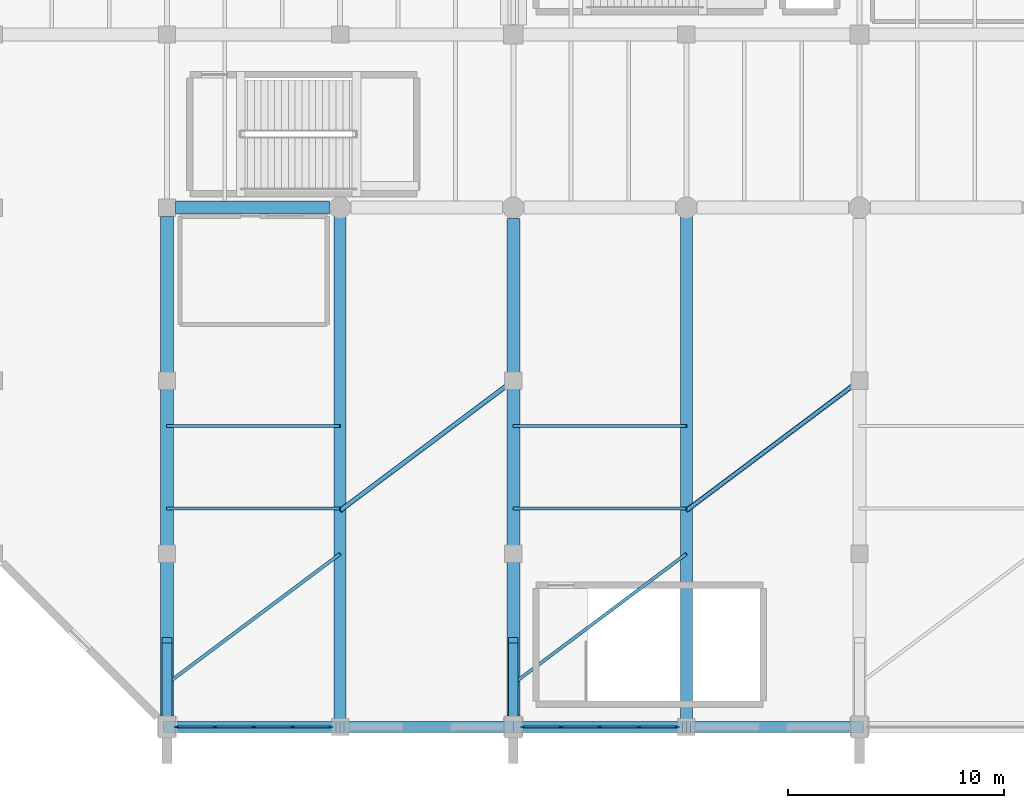
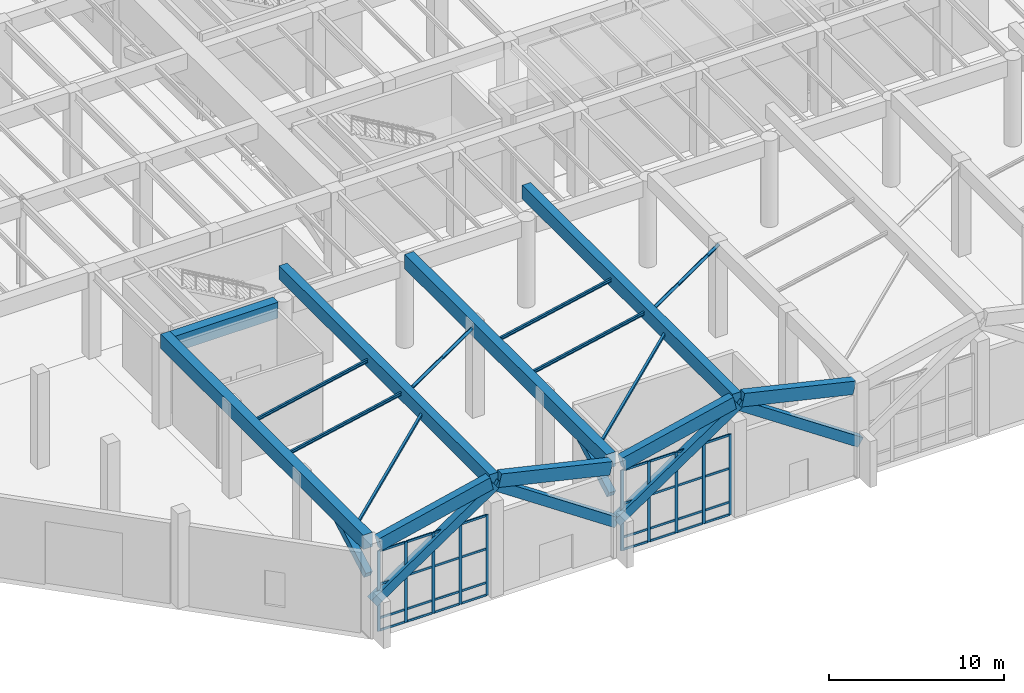
# One storey, part 6 of 51: 56 members, 9 beams, 2 elements without a shape of their own.
"""IFC4 building model written with IfcOpenShell, lengths in metres."""

from ifc_helpers import new_model, si_unit, direction, frame, origin, origin_2d, place, context, subcontext, project, spatial, rectangle, hollow_rectangle, hollow_circle, i_section, extrude, material, layer, layer_set, material_profile, profile_set, type_object, element, aggregate, save


model = new_model("IFC4")

# Units and contexts
model_context = context("Model", 3, precision=1e-05, world=origin(), true_north=direction((0.0, 1.0)))
body_context = subcontext(model_context, "Body", "Model", "MODEL_VIEW")
ifc_project = project(units=[si_unit("LENGTHUNIT", "METRE"), si_unit("AREAUNIT", "SQUARE_METRE"), si_unit("VOLUMEUNIT", "CUBIC_METRE"), si_unit("PLANEANGLEUNIT", "RADIAN"), si_unit("MASSUNIT", "GRAM", prefix="KILO")], contexts=[model_context])

# Site, building, storey
site_placement = place(None, origin())
site = spatial("IfcSite", under=ifc_project, at=site_placement, CompositionType="ELEMENT")
building_placement = place(site_placement, origin())
building = spatial("IfcBuilding", under=site, at=building_placement, Name="Varnela Railside Interchange", CompositionType="ELEMENT")
storey_placement = place(building_placement, origin())
storey = spatial("IfcBuildingStorey", under=building, at=storey_placement, Name="L00", CompositionType="ELEMENT", Elevation=0.0)

# Beams
ifc_material_1 = material(Name="Concrete C40", Category="concrete")
ifc_material_profile_1 = material_profile(ifc_material_1, rectangle(XDim=0.5, YDim=0.89990234375, at=origin_2d()), Name="RC 500x900")
ifc_profile_set_1 = profile_set([ifc_material_profile_1], Name="Concrete C40")
beam_type_1 = type_object("IfcBeamType", Name="Canopy Edge Chord Beam B-03", PredefinedType="BEAM", material=ifc_profile_set_1)
for number, where, z_axis, x_axis, name in (
    (1, (36.39990234375, 6.0, 6.14990234375), (0.974105883285, 0.0, 0.226092300067), (0.0, 1.0, 0.0), "Canopy Edge Chord Beam B-03 (L00) (BM-1392)"),
    (2, (44.27490234375, 6.0, 7.85009765625), (0.974105883285, 0.0, -0.226092300067), (0.0, 1.0, 0.0), "Canopy Edge Chord Beam B-03 (L00) (BM-1393)"),
    (3, (52.39990234375, 6.0, 6.14990234375), (0.974105883285, 0.0, 0.226092300067), (0.0, 1.0, 0.0), "Canopy Edge Chord Beam B-03 (L00) (BM-1394)"),
    (4, (60.27490234375, 6.0, 7.85009765625), (0.974105883285, 0.0, -0.226092300067), (0.0, 1.0, 0.0), "Canopy Edge Chord Beam B-03 (L00) (BM-1395)"),
):
    element("IfcBeam", number, at=place(storey_placement, frame(where, z_axis=z_axis, x_axis=x_axis)), inside=storey, type_object=beam_type_1, Name=name, PredefinedType="BEAM", context=body_context, shape_type="SweptSolid", body=[
        extrude(rectangle(XDim=0.5, YDim=0.89990234375, at=origin_2d()), origin(), (0.0, 0.0, 1.0), 7.52001953125),
    ])

# Members
ifc_material_2 = material(Name="Steel AR 350 (350 MPa)", Category="steel")
ifc_material_profile_2 = material_profile(ifc_material_2, hollow_circle(Radius=0.109619140625, WallThickness=0.012451171875, at=origin_2d()), Name="CHS 219.1x12.5")
ifc_profile_set_2 = profile_set([ifc_material_profile_2], Name="Steel AR 350 (350 MPa)")
member_type_1 = type_object("IfcMemberType", Name="Canopy Inclined Tie Strut BR-13", PredefinedType="STRUT", material=ifc_profile_set_2)
for number, where, z_axis, x_axis, name in (
    (5, (44.0, 16.0, 7.824951171875), (0.788358644975, 0.591268983731, -0.169975397545), (-0.6, 0.8, 0.0), "Canopy Inclined Tie Strut BR-13 (L00) (MB-0023)"),
    (6, (60.0, 16.0, 7.824951171875), (0.788358644975, 0.591268983731, -0.169975397545), (-0.6, 0.8, 0.0), "Canopy Inclined Tie Strut BR-13 (L00) (MB-0024)"),
):
    element("IfcMember", number, at=place(storey_placement, frame(where, z_axis=z_axis, x_axis=x_axis)), inside=storey, type_object=member_type_1, Name=name, PredefinedType="STRUT", context=body_context, shape_type="SweptSolid", body=[
        extrude(hollow_circle(Radius=0.109619140625, WallThickness=0.012451171875, at=origin_2d()), origin(), (0.0, 0.0, 1.0), 10.147705078125),
    ])
ifc_material_profile_3 = material_profile(ifc_material_2, hollow_rectangle(XDim=0.14990234375, YDim=0.14990234375, WallThickness=0.010009765625, at=origin_2d()), Name="HSS 150x150x10")
ifc_profile_set_3 = profile_set([ifc_material_profile_3], Name="Steel AR 350 (350 MPa)")
member_type_2 = type_object("IfcMemberType", Name="Canopy Plan Wind Brace BR-08", PredefinedType="BRACE", material=ifc_profile_set_3)
for number, where, z_axis, x_axis, name in (
    (7, (36.0, 8.0, 6.10009765625), (0.788358644975, 0.591268983731, 0.169975397545), (-0.6, 0.8, 0.0), "Canopy Plan Wind Brace BR-08 (L00) (MB-0029)"),
    (8, (52.0, 8.0, 6.10009765625), (0.788358644975, 0.591268983731, 0.169975397545), (-0.6, 0.8, 0.0), "Canopy Plan Wind Brace BR-08 (L00) (MB-0030)"),
):
    element("IfcMember", number, at=place(storey_placement, frame(where, z_axis=z_axis, x_axis=x_axis)), inside=storey, type_object=member_type_2, Name=name, PredefinedType="BRACE", context=body_context, shape_type="SweptSolid", body=[
        extrude(hollow_rectangle(XDim=0.14990234375, YDim=0.14990234375, WallThickness=0.010009765625, at=origin_2d()), origin(), (0.0, 0.0, 1.0), 10.147705078125),
    ])

# Beams
ifc_material_profile_4 = material_profile(ifc_material_1, rectangle(XDim=0.550048828125, YDim=0.949951171875, at=origin_2d()), Name="RC 550x950")
ifc_profile_set_4 = profile_set([ifc_material_profile_4], Name="Concrete C40")
beam_type_2 = type_object("IfcBeamType", Name="Canopy Ridge Girder B-04", PredefinedType="BEAM", material=ifc_profile_set_4)
for number, where, z_axis, x_axis, name in (
    (9, (44.0, 6.0, 7.824951171875), (0.0, 1.0, 0.0), (-1.0, 0.0, 0.0), "Canopy Ridge Girder B-04 (L00) (BM-1404)"),
    (10, (60.0, 6.0, 7.824951171875), (0.0, 1.0, 0.0), (-1.0, 0.0, 0.0), "Canopy Ridge Girder B-04 (L00) (BM-1405)"),
):
    element("IfcBeam", number, at=place(storey_placement, frame(where, z_axis=z_axis, x_axis=x_axis)), inside=storey, type_object=beam_type_2, Name=name, PredefinedType="BEAM", context=body_context, shape_type="SweptSolid", body=[
        extrude(rectangle(XDim=0.550048828125, YDim=0.949951171875, at=origin_2d()), origin(), (0.0, 0.0, 1.0), 24.0),
    ])
ifc_material_profile_5 = material_profile(ifc_material_1, rectangle(XDim=0.60009765625, YDim=1.0, at=origin_2d()), Name="RC 600x1000")
ifc_profile_set_5 = profile_set([ifc_material_profile_5], Name="Concrete C40")
beam_type_3 = type_object("IfcBeamType", Name="Canopy Valley Girder B-05", PredefinedType="BEAM", material=ifc_profile_set_5)
beam_1_placement = place(storey_placement, frame((36.0, 6.5, 6.10009765625), z_axis=(0.0, 1.0, 0.0), x_axis=(-1.0, 0.0, 0.0)))
element("IfcBeam", 11, at=beam_1_placement, inside=storey, type_object=beam_type_3, Name="Canopy Valley Girder B-05 (L00) (BM-1410)", PredefinedType="BEAM", context=body_context, shape_type="SweptSolid", body=[
    extrude(rectangle(XDim=0.60009765625, YDim=1.0, at=origin_2d()), origin(), (0.0, 0.0, 1.0), 23.10009765625),
])
beam_2_placement = place(storey_placement, frame((52.0, 6.5, 6.10009765625), z_axis=(0.0, 1.0, 0.0), x_axis=(-1.0, 0.0, 0.0)))
element("IfcBeam", 12, at=beam_2_placement, inside=storey, type_object=beam_type_3, Name="Canopy Valley Girder B-05 (L00) (BM-1411)", PredefinedType="BEAM", context=body_context, shape_type="SweptSolid", body=[
    extrude(rectangle(XDim=0.60009765625, YDim=1.0, at=origin_2d()), origin(), (0.0, 0.0, 1.0), 23.0),
])
ifc_material_3 = material(Name="Concrete C50", Category="concrete")
ifc_material_profile_6 = material_profile(ifc_material_3, rectangle(XDim=0.60009765625, YDim=1.10009765625, at=origin_2d()), Name="RC 600x1100")
ifc_profile_set_6 = profile_set([ifc_material_profile_6], Name="Concrete C50")
beam_type_4 = type_object("IfcBeamType", Name="Concourse RC Girder B-06", PredefinedType="BEAM", material=ifc_profile_set_6)
beam_3_placement = place(storey_placement, frame((36.39990234375, 30.0, 5.469970703125), z_axis=(1.0, 0.0, 0.0), x_axis=(0.0, 1.0, 0.0)))
element("IfcBeam", 13, at=beam_3_placement, inside=storey, type_object=beam_type_4, Name="Concourse RC Girder B-06 (L00) (BM-1193)", PredefinedType="BEAM", context=body_context, shape_type="SweptSolid", body=[
    extrude(rectangle(XDim=0.60009765625, YDim=1.10009765625, at=origin_2d()), origin(), (0.0, 0.0, 1.0), 7.10009765625),
])

# Curtain wall, members
ifc_material_4 = material(Name="Aluminium 6063-T6", Category="aluminium")
ifc_layer = layer(ifc_material_4, 0.035888671875)
ifc_layer_set = layer_set([ifc_layer], Name="Aluminium 6063-T6")
curtain_wall_type = type_object("IfcCurtainWallType", Name="Arrival Forecourt Portal Curtain Wall CW-04", PredefinedType="USERDEFINED", material=ifc_layer_set)
curtain_wall_1_placement = place(storey_placement, origin())
curtain_wall_1 = element("IfcCurtainWall", 14, at=curtain_wall_1_placement, inside=storey, type_object=curtain_wall_type, Name="Curtain Wall CW-04 (L00) (CW-015)", ObjectType="CURTAIN WALL", PredefinedType="USERDEFINED")
ifc_material_profile_7 = material_profile(ifc_material_4, rectangle(XDim=0.074951171875, YDim=0.199951171875, at=origin_2d()), Name="ALU 75x200")
ifc_profile_set_7 = profile_set([ifc_material_profile_7], Name="Aluminium 6063-T6")
member_type_3 = type_object("IfcMemberType", Name="Portal Heavy Mullion ML-04", PredefinedType="MULLION", material=ifc_profile_set_7)
member_1_placement = place(storey_placement, frame((59.5625, 6.0, 0.0), z_axis=(0.0, 0.0, 1.0), x_axis=(0.0, -1.0, 0.0)))
member_1 = element("IfcMember", 15, at=member_1_placement, type_object=member_type_3, Name="CW-04 mullion 1", PredefinedType="MULLION", context=body_context, shape_type="SweptSolid", body=[
    extrude(rectangle(XDim=0.074951171875, YDim=0.199951171875, at=origin_2d()), origin(), (0.0, 0.0, 1.0), 5.60009765625),
])
member_2_placement = place(storey_placement, frame((57.800048828125, 6.0, 0.0), z_axis=(0.0, 0.0, 1.0), x_axis=(0.0, -1.0, 0.0)))
member_2 = element("IfcMember", 16, at=member_2_placement, type_object=member_type_3, Name="CW-04 mullion 2", PredefinedType="MULLION", context=body_context, shape_type="SweptSolid", body=[
    extrude(rectangle(XDim=0.074951171875, YDim=0.199951171875, at=origin_2d()), origin(), (0.0, 0.0, 1.0), 5.60009765625),
])
member_3_placement = place(storey_placement, frame((56.0, 6.0, 0.0), z_axis=(0.0, 0.0, 1.0), x_axis=(0.0, -1.0, 0.0)))
member_3 = element("IfcMember", 17, at=member_3_placement, type_object=member_type_3, Name="CW-04 mullion 3", PredefinedType="MULLION", context=body_context, shape_type="SweptSolid", body=[
    extrude(rectangle(XDim=0.074951171875, YDim=0.199951171875, at=origin_2d()), origin(), (0.0, 0.0, 1.0), 5.60009765625),
])
member_4_placement = place(storey_placement, frame((54.199951171875, 6.0, 0.0), z_axis=(0.0, 0.0, 1.0), x_axis=(0.0, -1.0, 0.0)))
member_4 = element("IfcMember", 18, at=member_4_placement, type_object=member_type_3, Name="CW-04 mullion 4", PredefinedType="MULLION", context=body_context, shape_type="SweptSolid", body=[
    extrude(rectangle(XDim=0.074951171875, YDim=0.199951171875, at=origin_2d()), origin(), (0.0, 0.0, 1.0), 5.60009765625),
])
member_5_placement = place(storey_placement, frame((52.4375, 6.0, 0.0), z_axis=(0.0, 0.0, 1.0), x_axis=(0.0, -1.0, 0.0)))
member_5 = element("IfcMember", 19, at=member_5_placement, type_object=member_type_3, Name="CW-04 mullion 5", PredefinedType="MULLION", context=body_context, shape_type="SweptSolid", body=[
    extrude(rectangle(XDim=0.074951171875, YDim=0.199951171875, at=origin_2d()), origin(), (0.0, 0.0, 1.0), 5.60009765625),
])

curtain_wall_2_placement = place(storey_placement, origin())
curtain_wall_2 = element("IfcCurtainWall", 20, at=curtain_wall_2_placement, inside=storey, type_object=curtain_wall_type, Name="Curtain Wall CW-04 (L00) (CW-016)", ObjectType="CURTAIN WALL", PredefinedType="USERDEFINED")
member_6_placement = place(storey_placement, frame((43.5625, 6.0, 0.0), z_axis=(0.0, 0.0, 1.0), x_axis=(0.0, -1.0, 0.0)))
member_6 = element("IfcMember", 21, at=member_6_placement, type_object=member_type_3, Name="CW-04 mullion 1", PredefinedType="MULLION", context=body_context, shape_type="SweptSolid", body=[
    extrude(rectangle(XDim=0.074951171875, YDim=0.199951171875, at=origin_2d()), origin(), (0.0, 0.0, 1.0), 5.60009765625),
])
member_7_placement = place(storey_placement, frame((41.800048828125, 6.0, 0.0), z_axis=(0.0, 0.0, 1.0), x_axis=(0.0, -1.0, 0.0)))
member_7 = element("IfcMember", 22, at=member_7_placement, type_object=member_type_3, Name="CW-04 mullion 2", PredefinedType="MULLION", context=body_context, shape_type="SweptSolid", body=[
    extrude(rectangle(XDim=0.074951171875, YDim=0.199951171875, at=origin_2d()), origin(), (0.0, 0.0, 1.0), 5.60009765625),
])
member_8_placement = place(storey_placement, frame((40.0, 6.0, 0.0), z_axis=(0.0, 0.0, 1.0), x_axis=(0.0, -1.0, 0.0)))
member_8 = element("IfcMember", 23, at=member_8_placement, type_object=member_type_3, Name="CW-04 mullion 3", PredefinedType="MULLION", context=body_context, shape_type="SweptSolid", body=[
    extrude(rectangle(XDim=0.074951171875, YDim=0.199951171875, at=origin_2d()), origin(), (0.0, 0.0, 1.0), 5.60009765625),
])
member_9_placement = place(storey_placement, frame((38.199951171875, 6.0, 0.0), z_axis=(0.0, 0.0, 1.0), x_axis=(0.0, -1.0, 0.0)))
member_9 = element("IfcMember", 24, at=member_9_placement, type_object=member_type_3, Name="CW-04 mullion 4", PredefinedType="MULLION", context=body_context, shape_type="SweptSolid", body=[
    extrude(rectangle(XDim=0.074951171875, YDim=0.199951171875, at=origin_2d()), origin(), (0.0, 0.0, 1.0), 5.60009765625),
])
member_10_placement = place(storey_placement, frame((36.4375, 6.0, 0.0), z_axis=(0.0, 0.0, 1.0), x_axis=(0.0, -1.0, 0.0)))
member_10 = element("IfcMember", 25, at=member_10_placement, type_object=member_type_3, Name="CW-04 mullion 5", PredefinedType="MULLION", context=body_context, shape_type="SweptSolid", body=[
    extrude(rectangle(XDim=0.074951171875, YDim=0.199951171875, at=origin_2d()), origin(), (0.0, 0.0, 1.0), 5.60009765625),
])

# Member
ifc_material_profile_8 = material_profile(ifc_material_4, rectangle(XDim=0.074951171875, YDim=0.14990234375, at=origin_2d()), Name="ALU 75x150")
ifc_profile_set_8 = profile_set([ifc_material_profile_8], Name="Aluminium 6063-T6")
member_type_4 = type_object("IfcMemberType", Name="Portal Heavy Transom TR-04", PredefinedType="USERDEFINED", material=ifc_profile_set_8)
member_11_placement = place(storey_placement, frame((59.52490234375, 6.0, 0.03759765625), z_axis=(-1.0, 0.0, 0.0), x_axis=(0.0, -1.0, 0.0)))
member_11 = element("IfcMember", 26, at=member_11_placement, type_object=member_type_4, Name="CW-04 transom 1.1", ObjectType="TRANSOM", PredefinedType="USERDEFINED", context=body_context, shape_type="SweptSolid", body=[
    extrude(rectangle(XDim=0.074951171875, YDim=0.14990234375, at=origin_2d()), origin(), (0.0, 0.0, 1.0), 1.6875),
])

member_12_placement = place(storey_placement, frame((59.52490234375, 6.0, 0.89990234375), z_axis=(-1.0, 0.0, 0.0), x_axis=(0.0, -1.0, 0.0)))
member_12 = element("IfcMember", 27, at=member_12_placement, type_object=member_type_4, Name="CW-04 transom 1.2", ObjectType="TRANSOM", PredefinedType="USERDEFINED", context=body_context, shape_type="SweptSolid", body=[
    extrude(rectangle(XDim=0.074951171875, YDim=0.14990234375, at=origin_2d()), origin(), (0.0, 0.0, 1.0), 1.6875),
])

member_13_placement = place(storey_placement, frame((59.52490234375, 6.0, 3.248046875), z_axis=(-1.0, 0.0, 0.0), x_axis=(0.0, -1.0, 0.0)))
member_13 = element("IfcMember", 28, at=member_13_placement, type_object=member_type_4, Name="CW-04 transom 1.3", ObjectType="TRANSOM", PredefinedType="USERDEFINED", context=body_context, shape_type="SweptSolid", body=[
    extrude(rectangle(XDim=0.074951171875, YDim=0.14990234375, at=origin_2d()), origin(), (0.0, 0.0, 1.0), 1.6875),
])

member_14_placement = place(storey_placement, frame((59.52490234375, 6.0, 5.5625), z_axis=(-1.0, 0.0, 0.0), x_axis=(0.0, -1.0, 0.0)))
member_14 = element("IfcMember", 29, at=member_14_placement, type_object=member_type_4, Name="CW-04 transom 1.4", ObjectType="TRANSOM", PredefinedType="USERDEFINED", context=body_context, shape_type="SweptSolid", body=[
    extrude(rectangle(XDim=0.074951171875, YDim=0.14990234375, at=origin_2d()), origin(), (0.0, 0.0, 1.0), 1.6875),
])

member_15_placement = place(storey_placement, frame((57.762451171875, 6.0, 0.03759765625), z_axis=(-1.0, 0.0, 0.0), x_axis=(0.0, -1.0, 0.0)))
member_15 = element("IfcMember", 30, at=member_15_placement, type_object=member_type_4, Name="CW-04 transom 2.1", ObjectType="TRANSOM", PredefinedType="USERDEFINED", context=body_context, shape_type="SweptSolid", body=[
    extrude(rectangle(XDim=0.074951171875, YDim=0.14990234375, at=origin_2d()), origin(), (0.0, 0.0, 1.0), 1.724853515625),
])

member_16_placement = place(storey_placement, frame((57.762451171875, 6.0, 0.89990234375), z_axis=(-1.0, 0.0, 0.0), x_axis=(0.0, -1.0, 0.0)))
member_16 = element("IfcMember", 31, at=member_16_placement, type_object=member_type_4, Name="CW-04 transom 2.2", ObjectType="TRANSOM", PredefinedType="USERDEFINED", context=body_context, shape_type="SweptSolid", body=[
    extrude(rectangle(XDim=0.074951171875, YDim=0.14990234375, at=origin_2d()), origin(), (0.0, 0.0, 1.0), 1.724853515625),
])

member_17_placement = place(storey_placement, frame((57.762451171875, 6.0, 3.248046875), z_axis=(-1.0, 0.0, 0.0), x_axis=(0.0, -1.0, 0.0)))
member_17 = element("IfcMember", 32, at=member_17_placement, type_object=member_type_4, Name="CW-04 transom 2.3", ObjectType="TRANSOM", PredefinedType="USERDEFINED", context=body_context, shape_type="SweptSolid", body=[
    extrude(rectangle(XDim=0.074951171875, YDim=0.14990234375, at=origin_2d()), origin(), (0.0, 0.0, 1.0), 1.724853515625),
])

member_18_placement = place(storey_placement, frame((57.762451171875, 6.0, 5.5625), z_axis=(-1.0, 0.0, 0.0), x_axis=(0.0, -1.0, 0.0)))
member_18 = element("IfcMember", 33, at=member_18_placement, type_object=member_type_4, Name="CW-04 transom 2.4", ObjectType="TRANSOM", PredefinedType="USERDEFINED", context=body_context, shape_type="SweptSolid", body=[
    extrude(rectangle(XDim=0.074951171875, YDim=0.14990234375, at=origin_2d()), origin(), (0.0, 0.0, 1.0), 1.724853515625),
])

member_19_placement = place(storey_placement, frame((55.96240234375, 6.0, 0.03759765625), z_axis=(-1.0, 0.0, 0.0), x_axis=(0.0, -1.0, 0.0)))
member_19 = element("IfcMember", 34, at=member_19_placement, type_object=member_type_4, Name="CW-04 transom 3.1", ObjectType="TRANSOM", PredefinedType="USERDEFINED", context=body_context, shape_type="SweptSolid", body=[
    extrude(rectangle(XDim=0.074951171875, YDim=0.14990234375, at=origin_2d()), origin(), (0.0, 0.0, 1.0), 1.724853515625),
])

member_20_placement = place(storey_placement, frame((55.96240234375, 6.0, 0.89990234375), z_axis=(-1.0, 0.0, 0.0), x_axis=(0.0, -1.0, 0.0)))
member_20 = element("IfcMember", 35, at=member_20_placement, type_object=member_type_4, Name="CW-04 transom 3.2", ObjectType="TRANSOM", PredefinedType="USERDEFINED", context=body_context, shape_type="SweptSolid", body=[
    extrude(rectangle(XDim=0.074951171875, YDim=0.14990234375, at=origin_2d()), origin(), (0.0, 0.0, 1.0), 1.724853515625),
])

member_21_placement = place(storey_placement, frame((55.96240234375, 6.0, 3.248046875), z_axis=(-1.0, 0.0, 0.0), x_axis=(0.0, -1.0, 0.0)))
member_21 = element("IfcMember", 36, at=member_21_placement, type_object=member_type_4, Name="CW-04 transom 3.3", ObjectType="TRANSOM", PredefinedType="USERDEFINED", context=body_context, shape_type="SweptSolid", body=[
    extrude(rectangle(XDim=0.074951171875, YDim=0.14990234375, at=origin_2d()), origin(), (0.0, 0.0, 1.0), 1.724853515625),
])

member_22_placement = place(storey_placement, frame((55.96240234375, 6.0, 5.5625), z_axis=(-1.0, 0.0, 0.0), x_axis=(0.0, -1.0, 0.0)))
member_22 = element("IfcMember", 37, at=member_22_placement, type_object=member_type_4, Name="CW-04 transom 3.4", ObjectType="TRANSOM", PredefinedType="USERDEFINED", context=body_context, shape_type="SweptSolid", body=[
    extrude(rectangle(XDim=0.074951171875, YDim=0.14990234375, at=origin_2d()), origin(), (0.0, 0.0, 1.0), 1.724853515625),
])

member_23_placement = place(storey_placement, frame((54.16259765625, 6.0, 0.03759765625), z_axis=(-1.0, 0.0, 0.0), x_axis=(0.0, -1.0, 0.0)))
member_23 = element("IfcMember", 38, at=member_23_placement, type_object=member_type_4, Name="CW-04 transom 4.1", ObjectType="TRANSOM", PredefinedType="USERDEFINED", context=body_context, shape_type="SweptSolid", body=[
    extrude(rectangle(XDim=0.074951171875, YDim=0.14990234375, at=origin_2d()), origin(), (0.0, 0.0, 1.0), 1.6875),
])

member_24_placement = place(storey_placement, frame((54.16259765625, 6.0, 0.89990234375), z_axis=(-1.0, 0.0, 0.0), x_axis=(0.0, -1.0, 0.0)))
member_24 = element("IfcMember", 39, at=member_24_placement, type_object=member_type_4, Name="CW-04 transom 4.2", ObjectType="TRANSOM", PredefinedType="USERDEFINED", context=body_context, shape_type="SweptSolid", body=[
    extrude(rectangle(XDim=0.074951171875, YDim=0.14990234375, at=origin_2d()), origin(), (0.0, 0.0, 1.0), 1.6875),
])

member_25_placement = place(storey_placement, frame((54.16259765625, 6.0, 3.248046875), z_axis=(-1.0, 0.0, 0.0), x_axis=(0.0, -1.0, 0.0)))
member_25 = element("IfcMember", 40, at=member_25_placement, type_object=member_type_4, Name="CW-04 transom 4.3", ObjectType="TRANSOM", PredefinedType="USERDEFINED", context=body_context, shape_type="SweptSolid", body=[
    extrude(rectangle(XDim=0.074951171875, YDim=0.14990234375, at=origin_2d()), origin(), (0.0, 0.0, 1.0), 1.6875),
])

member_26_placement = place(storey_placement, frame((54.16259765625, 6.0, 5.5625), z_axis=(-1.0, 0.0, 0.0), x_axis=(0.0, -1.0, 0.0)))
member_26 = element("IfcMember", 41, at=member_26_placement, type_object=member_type_4, Name="CW-04 transom 4.4", ObjectType="TRANSOM", PredefinedType="USERDEFINED", context=body_context, shape_type="SweptSolid", body=[
    extrude(rectangle(XDim=0.074951171875, YDim=0.14990234375, at=origin_2d()), origin(), (0.0, 0.0, 1.0), 1.6875),
])

aggregate(curtain_wall_1, [member_1, member_2, member_3, member_4, member_5, member_11, member_12, member_13, member_14, member_15, member_16, member_17, member_18, member_19, member_20, member_21, member_22, member_23, member_24, member_25, member_26])

member_27_placement = place(storey_placement, frame((43.52490234375, 6.0, 0.03759765625), z_axis=(-1.0, 0.0, 0.0), x_axis=(0.0, -1.0, 0.0)))
member_27 = element("IfcMember", 42, at=member_27_placement, type_object=member_type_4, Name="CW-04 transom 1.1", ObjectType="TRANSOM", PredefinedType="USERDEFINED", context=body_context, shape_type="SweptSolid", body=[
    extrude(rectangle(XDim=0.074951171875, YDim=0.14990234375, at=origin_2d()), origin(), (0.0, 0.0, 1.0), 1.6875),
])

member_28_placement = place(storey_placement, frame((43.52490234375, 6.0, 0.89990234375), z_axis=(-1.0, 0.0, 0.0), x_axis=(0.0, -1.0, 0.0)))
member_28 = element("IfcMember", 43, at=member_28_placement, type_object=member_type_4, Name="CW-04 transom 1.2", ObjectType="TRANSOM", PredefinedType="USERDEFINED", context=body_context, shape_type="SweptSolid", body=[
    extrude(rectangle(XDim=0.074951171875, YDim=0.14990234375, at=origin_2d()), origin(), (0.0, 0.0, 1.0), 1.6875),
])

member_29_placement = place(storey_placement, frame((43.52490234375, 6.0, 3.248046875), z_axis=(-1.0, 0.0, 0.0), x_axis=(0.0, -1.0, 0.0)))
member_29 = element("IfcMember", 44, at=member_29_placement, type_object=member_type_4, Name="CW-04 transom 1.3", ObjectType="TRANSOM", PredefinedType="USERDEFINED", context=body_context, shape_type="SweptSolid", body=[
    extrude(rectangle(XDim=0.074951171875, YDim=0.14990234375, at=origin_2d()), origin(), (0.0, 0.0, 1.0), 1.6875),
])

member_30_placement = place(storey_placement, frame((43.52490234375, 6.0, 5.5625), z_axis=(-1.0, 0.0, 0.0), x_axis=(0.0, -1.0, 0.0)))
member_30 = element("IfcMember", 45, at=member_30_placement, type_object=member_type_4, Name="CW-04 transom 1.4", ObjectType="TRANSOM", PredefinedType="USERDEFINED", context=body_context, shape_type="SweptSolid", body=[
    extrude(rectangle(XDim=0.074951171875, YDim=0.14990234375, at=origin_2d()), origin(), (0.0, 0.0, 1.0), 1.6875),
])

member_31_placement = place(storey_placement, frame((41.762451171875, 6.0, 0.03759765625), z_axis=(-1.0, 0.0, 0.0), x_axis=(0.0, -1.0, 0.0)))
member_31 = element("IfcMember", 46, at=member_31_placement, type_object=member_type_4, Name="CW-04 transom 2.1", ObjectType="TRANSOM", PredefinedType="USERDEFINED", context=body_context, shape_type="SweptSolid", body=[
    extrude(rectangle(XDim=0.074951171875, YDim=0.14990234375, at=origin_2d()), origin(), (0.0, 0.0, 1.0), 1.724853515625),
])

member_32_placement = place(storey_placement, frame((41.762451171875, 6.0, 0.89990234375), z_axis=(-1.0, 0.0, 0.0), x_axis=(0.0, -1.0, 0.0)))
member_32 = element("IfcMember", 47, at=member_32_placement, type_object=member_type_4, Name="CW-04 transom 2.2", ObjectType="TRANSOM", PredefinedType="USERDEFINED", context=body_context, shape_type="SweptSolid", body=[
    extrude(rectangle(XDim=0.074951171875, YDim=0.14990234375, at=origin_2d()), origin(), (0.0, 0.0, 1.0), 1.724853515625),
])

member_33_placement = place(storey_placement, frame((41.762451171875, 6.0, 3.248046875), z_axis=(-1.0, 0.0, 0.0), x_axis=(0.0, -1.0, 0.0)))
member_33 = element("IfcMember", 48, at=member_33_placement, type_object=member_type_4, Name="CW-04 transom 2.3", ObjectType="TRANSOM", PredefinedType="USERDEFINED", context=body_context, shape_type="SweptSolid", body=[
    extrude(rectangle(XDim=0.074951171875, YDim=0.14990234375, at=origin_2d()), origin(), (0.0, 0.0, 1.0), 1.724853515625),
])

member_34_placement = place(storey_placement, frame((41.762451171875, 6.0, 5.5625), z_axis=(-1.0, 0.0, 0.0), x_axis=(0.0, -1.0, 0.0)))
member_34 = element("IfcMember", 49, at=member_34_placement, type_object=member_type_4, Name="CW-04 transom 2.4", ObjectType="TRANSOM", PredefinedType="USERDEFINED", context=body_context, shape_type="SweptSolid", body=[
    extrude(rectangle(XDim=0.074951171875, YDim=0.14990234375, at=origin_2d()), origin(), (0.0, 0.0, 1.0), 1.724853515625),
])

member_35_placement = place(storey_placement, frame((39.96240234375, 6.0, 0.03759765625), z_axis=(-1.0, 0.0, 0.0), x_axis=(0.0, -1.0, 0.0)))
member_35 = element("IfcMember", 50, at=member_35_placement, type_object=member_type_4, Name="CW-04 transom 3.1", ObjectType="TRANSOM", PredefinedType="USERDEFINED", context=body_context, shape_type="SweptSolid", body=[
    extrude(rectangle(XDim=0.074951171875, YDim=0.14990234375, at=origin_2d()), origin(), (0.0, 0.0, 1.0), 1.724853515625),
])

member_36_placement = place(storey_placement, frame((39.96240234375, 6.0, 0.89990234375), z_axis=(-1.0, 0.0, 0.0), x_axis=(0.0, -1.0, 0.0)))
member_36 = element("IfcMember", 51, at=member_36_placement, type_object=member_type_4, Name="CW-04 transom 3.2", ObjectType="TRANSOM", PredefinedType="USERDEFINED", context=body_context, shape_type="SweptSolid", body=[
    extrude(rectangle(XDim=0.074951171875, YDim=0.14990234375, at=origin_2d()), origin(), (0.0, 0.0, 1.0), 1.724853515625),
])

member_37_placement = place(storey_placement, frame((39.96240234375, 6.0, 3.248046875), z_axis=(-1.0, 0.0, 0.0), x_axis=(0.0, -1.0, 0.0)))
member_37 = element("IfcMember", 52, at=member_37_placement, type_object=member_type_4, Name="CW-04 transom 3.3", ObjectType="TRANSOM", PredefinedType="USERDEFINED", context=body_context, shape_type="SweptSolid", body=[
    extrude(rectangle(XDim=0.074951171875, YDim=0.14990234375, at=origin_2d()), origin(), (0.0, 0.0, 1.0), 1.724853515625),
])

member_38_placement = place(storey_placement, frame((39.96240234375, 6.0, 5.5625), z_axis=(-1.0, 0.0, 0.0), x_axis=(0.0, -1.0, 0.0)))
member_38 = element("IfcMember", 53, at=member_38_placement, type_object=member_type_4, Name="CW-04 transom 3.4", ObjectType="TRANSOM", PredefinedType="USERDEFINED", context=body_context, shape_type="SweptSolid", body=[
    extrude(rectangle(XDim=0.074951171875, YDim=0.14990234375, at=origin_2d()), origin(), (0.0, 0.0, 1.0), 1.724853515625),
])

member_39_placement = place(storey_placement, frame((38.16259765625, 6.0, 0.03759765625), z_axis=(-1.0, 0.0, 0.0), x_axis=(0.0, -1.0, 0.0)))
member_39 = element("IfcMember", 54, at=member_39_placement, type_object=member_type_4, Name="CW-04 transom 4.1", ObjectType="TRANSOM", PredefinedType="USERDEFINED", context=body_context, shape_type="SweptSolid", body=[
    extrude(rectangle(XDim=0.074951171875, YDim=0.14990234375, at=origin_2d()), origin(), (0.0, 0.0, 1.0), 1.6875),
])

member_40_placement = place(storey_placement, frame((38.16259765625, 6.0, 0.89990234375), z_axis=(-1.0, 0.0, 0.0), x_axis=(0.0, -1.0, 0.0)))
member_40 = element("IfcMember", 55, at=member_40_placement, type_object=member_type_4, Name="CW-04 transom 4.2", ObjectType="TRANSOM", PredefinedType="USERDEFINED", context=body_context, shape_type="SweptSolid", body=[
    extrude(rectangle(XDim=0.074951171875, YDim=0.14990234375, at=origin_2d()), origin(), (0.0, 0.0, 1.0), 1.6875),
])

member_41_placement = place(storey_placement, frame((38.16259765625, 6.0, 3.248046875), z_axis=(-1.0, 0.0, 0.0), x_axis=(0.0, -1.0, 0.0)))
member_41 = element("IfcMember", 56, at=member_41_placement, type_object=member_type_4, Name="CW-04 transom 4.3", ObjectType="TRANSOM", PredefinedType="USERDEFINED", context=body_context, shape_type="SweptSolid", body=[
    extrude(rectangle(XDim=0.074951171875, YDim=0.14990234375, at=origin_2d()), origin(), (0.0, 0.0, 1.0), 1.6875),
])

member_42_placement = place(storey_placement, frame((38.16259765625, 6.0, 5.5625), z_axis=(-1.0, 0.0, 0.0), x_axis=(0.0, -1.0, 0.0)))
member_42 = element("IfcMember", 57, at=member_42_placement, type_object=member_type_4, Name="CW-04 transom 4.4", ObjectType="TRANSOM", PredefinedType="USERDEFINED", context=body_context, shape_type="SweptSolid", body=[
    extrude(rectangle(XDim=0.074951171875, YDim=0.14990234375, at=origin_2d()), origin(), (0.0, 0.0, 1.0), 1.6875),
])

aggregate(curtain_wall_2, [member_6, member_7, member_8, member_9, member_10, member_27, member_28, member_29, member_30, member_31, member_32, member_33, member_34, member_35, member_36, member_37, member_38, member_39, member_40, member_41, member_42])

# Members
ifc_material_profile_9 = material_profile(ifc_material_3, rectangle(XDim=0.449951171875, YDim=0.5, at=origin_2d()), Name="RC 450x500")
ifc_profile_set_9 = profile_set([ifc_material_profile_9], Name="Concrete C50")
member_type_5 = type_object("IfcMemberType", Name="Sculpted Canopy Knee Strut VP-03", PredefinedType="STRUT", material=ifc_profile_set_9)
for number, where, z_axis, x_axis, name in (
    (58, (36.0, 6.449951171875, 3.800048828125), (0.0, 0.871250514853, 0.490838609289), (-1.0, 0.0, 0.0), "Sculpted Canopy Knee Strut VP-03 (L00) (MB-0060)"),
    (59, (52.0, 6.449951171875, 3.800048828125), (0.0, 0.871250514853, 0.490838609289), (-1.0, 0.0, 0.0), "Sculpted Canopy Knee Strut VP-03 (L00) (MB-0061)"),
):
    element("IfcMember", number, at=place(storey_placement, frame(where, z_axis=z_axis, x_axis=x_axis)), inside=storey, type_object=member_type_5, Name=name, PredefinedType="STRUT", context=body_context, shape_type="SweptSolid", body=[
        extrude(rectangle(XDim=0.449951171875, YDim=0.5, at=origin_2d()), origin(), (0.0, 0.0, 1.0), 4.07470703125),
    ])
ifc_material_profile_10 = material_profile(ifc_material_3, rectangle(XDim=0.5, YDim=0.64990234375, at=origin_2d()), Name="RC 500x650")
ifc_profile_set_10 = profile_set([ifc_material_profile_10], Name="Concrete C50")
member_type_6 = type_object("IfcMemberType", Name="Sculpted V-Pier Primary Strut VP-01", PredefinedType="STRUT", material=ifc_profile_set_10)
for number, where, z_axis, x_axis, name in (
    (60, (36.0, 6.0, 2.199951171875), (0.828841636369, 0.0, 0.559483281092), (0.0, 1.0, 0.0), "Sculpted V-Pier Primary Strut VP-01 (L00) (MB-0048)"),
    (61, (52.0, 6.0, 2.199951171875), (0.828841636369, 0.0, 0.559483281092), (0.0, 1.0, 0.0), "Sculpted V-Pier Primary Strut VP-01 (L00) (MB-0049)"),
    (62, (52.0, 6.0, 2.199951171875), (-0.828841636369, 0.0, 0.559483281092), (0.0, -1.0, 0.0), "Sculpted V-Pier Primary Strut VP-01 (L00) (MB-0054)"),
    (63, (68.0, 6.0, 2.199951171875), (-0.828841636369, 0.0, 0.559483281092), (0.0, -1.0, 0.0), "Sculpted V-Pier Primary Strut VP-01 (L00) (MB-0055)"),
):
    element("IfcMember", number, at=place(storey_placement, frame(where, z_axis=z_axis, x_axis=x_axis)), inside=storey, type_object=member_type_6, Name=name, PredefinedType="STRUT", context=body_context, shape_type="SweptSolid", body=[
        extrude(rectangle(XDim=0.5, YDim=0.64990234375, at=origin_2d()), origin(), (0.0, 0.0, 1.0), 9.652099609375),
    ])
ifc_material_profile_11 = material_profile(ifc_material_2, i_section(OverallWidth=0.133056640625, OverallDepth=0.20703125, WebThickness=0.005859375, FlangeThickness=0.00830078125, at=origin_2d()), Name="W200x26.6")
ifc_profile_set_11 = profile_set([ifc_material_profile_11], Name="Steel AR 350 (350 MPa)")
member_type_7 = type_object("IfcMemberType", Name="Skylight Curb Purlin PR-01", PredefinedType="PURLIN", material=ifc_profile_set_11)
for number, where, z_axis, x_axis, name in (
    (64, (36.0, 16.10009765625, 6.199951171875), (0.978160064759, 0.0, 0.207853043546), (0.0, 1.0, 0.0), "Skylight Curb Purlin PR-01 (L00) (MB-0012)"),
    (65, (36.0, 19.89990234375, 6.199951171875), (0.978160064759, 0.0, 0.207853043546), (0.0, 1.0, 0.0), "Skylight Curb Purlin PR-01 (L00) (MB-0011)"),
    (66, (52.0, 16.10009765625, 6.199951171875), (0.978160064759, 0.0, 0.207853043546), (0.0, 1.0, 0.0), "Skylight Curb Purlin PR-01 (L00) (MB-0014)"),
    (67, (52.0, 19.89990234375, 6.199951171875), (0.978160064759, 0.0, 0.207853043546), (0.0, 1.0, 0.0), "Skylight Curb Purlin PR-01 (L00) (MB-0013)"),
):
    element("IfcMember", number, at=place(storey_placement, frame(where, z_axis=z_axis, x_axis=x_axis)), inside=storey, type_object=member_type_7, Name=name, PredefinedType="PURLIN", context=body_context, shape_type="SweptSolid", body=[
        extrude(i_section(OverallWidth=0.133056640625, OverallDepth=0.20703125, WebThickness=0.005859375, FlangeThickness=0.00830078125, at=origin_2d()), origin(), (0.0, 0.0, 1.0), 8.1787109375),
    ])

save(model, "model.ifc")
